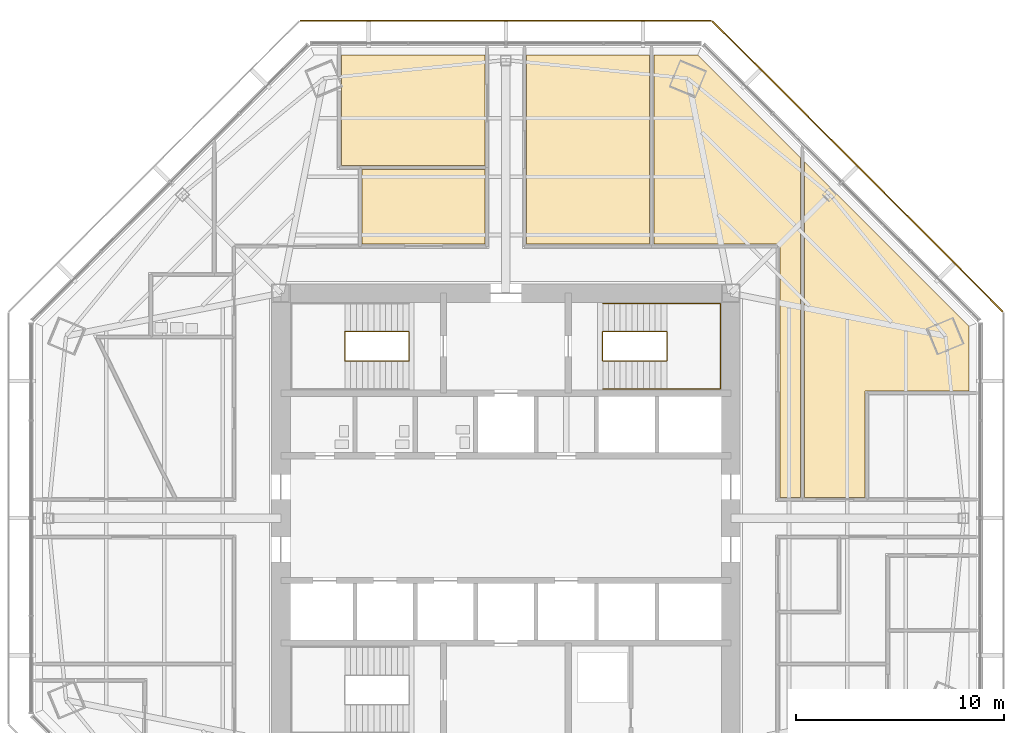
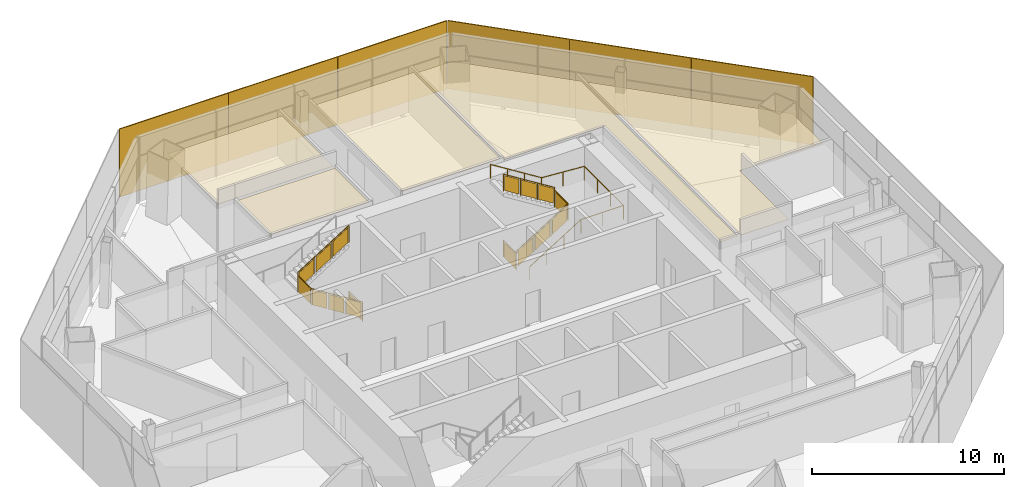
# One storey, part 14 of 15: 6 shading devices, 5 coverings, 3 railings.
"""IFC4 building model written with IfcOpenShell, lengths in metres."""

from ifc_helpers import new_model, si_unit, direction, frame, origin, origin_2d, place, context, subcontext, project, spatial, polyline, rectangle, circle, outline, extrude, source, transform, mapped, material, layer, layer_set, type_object, type_shapes, element, save


model = new_model("IFC4")

# Units and contexts
model_context = context("Model", 3, precision=1e-05, world=origin(), true_north=direction((0.0, 1.0)))
body_context = subcontext(model_context, "Body", "Model", "MODEL_VIEW")
ifc_project = project(units=[si_unit("LENGTHUNIT", "METRE"), si_unit("AREAUNIT", "SQUARE_METRE"), si_unit("VOLUMEUNIT", "CUBIC_METRE"), si_unit("PLANEANGLEUNIT", "RADIAN"), si_unit("MASSUNIT", "GRAM", prefix="KILO")], contexts=[model_context])

# Site, building, storey
site_placement = place(None, origin())
site = spatial("IfcSite", under=ifc_project, at=site_placement, CompositionType="ELEMENT")
building_placement = place(site_placement, origin())
building = spatial("IfcBuilding", under=site, at=building_placement, Name="Mashrafa Tower", CompositionType="ELEMENT")
storey_placement = place(building_placement, frame((0.0, 0.0, 184.800048828125)))
storey = spatial("IfcBuildingStorey", under=building, at=storey_placement, Name="L42", CompositionType="ELEMENT", Elevation=184.800048828125)

# Railings
ifc_material_1 = material(Name="Steel guard with glass infill", Category="steel")
railing_type_1 = type_object("IfcRailingType", Name="Stair guard 1100", PredefinedType="GUARDRAIL", material=ifc_material_1)
railing_1_placement = place(storey_placement, frame((-4.64990234375, 8.949951171875, 0.0)))
element("IfcRailing", 1, at=railing_1_placement, inside=storey, type_object=railing_type_1, Name="Stair S1 guard L42", PredefinedType="GUARDRAIL", context=body_context, shape_type="SweptSolid", body=[
    extrude(circle(Radius=0.02392578125, at=origin_2d()), frame((0.0, 0.0, 1.076171875), z_axis=(0.0, -1.0, 0.0), x_axis=(1.0, 0.0, 0.0)), (0.0, 0.0, 1.0), 1.39990234375),
    extrude(circle(Radius=0.02392578125, at=origin_2d()), frame((0.0, -1.39990234375, 1.076171875), z_axis=(0.0, 0.0, 1.0), x_axis=(1.0, 0.0, 0.0)), (0.0, 0.0, 1.0), 0.175048828125),
    extrude(circle(Radius=0.02392578125, at=origin_2d()), frame((0.0, -1.39990234375, 1.2509765625), z_axis=(-0.848028513186, 0.0, 0.529950602248), x_axis=(0.0, -1.0, 0.0)), (0.0, 0.0, 1.0), 3.632080078125),
    extrude(circle(Radius=0.02392578125, at=origin_2d()), frame((-3.080078125, -1.39990234375, 3.17578125), z_axis=(0.0, 1.0, 0.0), x_axis=(-1.0, 0.0, 0.0)), (0.0, 0.0, 1.0), 1.39990234375),
    extrude(circle(Radius=0.02392578125, at=origin_2d()), frame((-3.080078125, 0.0, 3.17578125), z_axis=(0.0, 0.0, 1.0), x_axis=(1.0, 0.0, 0.0)), (0.0, 0.0, 1.0), 0.175048828125),
    extrude(circle(Radius=0.02392578125, at=origin_2d()), frame((-3.080078125, 0.0, 3.35107421875), z_axis=(0.847998304005, 0.0, 0.529998940003), x_axis=(0.0, 1.0, 0.0)), (0.0, 0.0, 1.0), 3.632080078125),
    extrude(circle(Radius=0.02099609375, at=origin_2d()), origin(), (0.0, 0.0, 1.0), 1.052001953125),
    extrude(circle(Radius=0.02099609375, at=origin_2d()), frame((0.0, -1.39990234375, 0.0)), (0.0, 0.0, 1.0), 1.052001953125),
    extrude(circle(Radius=0.02099609375, at=origin_2d()), frame((0.0, -1.39990234375, 0.175048828125)), (0.0, 0.0, 1.0), 1.052001953125),
    extrude(circle(Radius=0.02099609375, at=origin_2d()), frame((-1.026611328125, -1.39990234375, 0.816650390625)), (0.0, 0.0, 1.0), 1.052001953125),
    extrude(circle(Radius=0.02099609375, at=origin_2d()), frame((-2.053466796875, -1.39990234375, 1.458251953125)), (0.0, 0.0, 1.0), 1.052001953125),
    extrude(circle(Radius=0.02099609375, at=origin_2d()), frame((-3.080078125, -1.39990234375, 2.099853515625)), (0.0, 0.0, 1.0), 1.052001953125),
    extrude(circle(Radius=0.02099609375, at=origin_2d()), frame((-3.080078125, 0.0, 2.099853515625)), (0.0, 0.0, 1.0), 1.052001953125),
    extrude(circle(Radius=0.02099609375, at=origin_2d()), frame((-3.080078125, 0.0, 2.27490234375)), (0.0, 0.0, 1.0), 1.052001953125),
    extrude(circle(Radius=0.02099609375, at=origin_2d()), frame((-2.053466796875, 0.0, 2.91650390625)), (0.0, 0.0, 1.0), 1.052001953125),
    extrude(circle(Radius=0.02099609375, at=origin_2d()), frame((-1.026611328125, 0.0, 3.558349609375)), (0.0, 0.0, 1.0), 1.052001953125),
    extrude(circle(Radius=0.02099609375, at=origin_2d()), frame((0.0, 0.0, 4.199951171875)), (0.0, 0.0, 1.0), 1.052001953125),
    extrude(outline(polyline([(0.071044921875, 0.050048828125), (1.328857421875, 0.050048828125), (1.328857421875, 1.001953125), (0.071044921875, 1.001953125), (0.071044921875, 0.050048828125)])), frame((-0.006103515625, 0.0, 0.0), z_axis=(-1.0, 0.0, 0.0), x_axis=(0.0, -1.0, 0.0)), (0.0, 0.0, 1.0), 0.011962890625),
    extrude(outline(polyline([(0.071044921875, 0.094482421875), (0.955810546875, 0.647216796875), (0.955810546875, 1.59912109375), (0.071044921875, 1.04638671875), (0.071044921875, 0.094482421875)])), frame((0.0, -1.393798828125, 0.175048828125), z_axis=(0.0, 1.0, 0.0), x_axis=(-1.0, 0.0, 0.0)), (0.0, 0.0, 1.0), 0.011962890625),
    extrude(outline(polyline([(1.09765625, 0.736083984375), (1.982421875, 1.288818359375), (1.982421875, 2.24072265625), (1.09765625, 1.68798828125), (1.09765625, 0.736083984375)])), frame((0.0, -1.393798828125, 0.175048828125), z_axis=(0.0, 1.0, 0.0), x_axis=(-1.0, 0.0, 0.0)), (0.0, 0.0, 1.0), 0.011962890625),
    extrude(outline(polyline([(2.124267578125, 1.377685546875), (3.009033203125, 1.930419921875), (3.009033203125, 2.88232421875), (2.124267578125, 2.32958984375), (2.124267578125, 1.377685546875)])), frame((0.0, -1.393798828125, 0.175048828125), z_axis=(0.0, 1.0, 0.0), x_axis=(-1.0, 0.0, 0.0)), (0.0, 0.0, 1.0), 0.011962890625),
    extrude(outline(polyline([(0.071044921875, 0.050048828125), (1.328857421875, 0.050048828125), (1.328857421875, 1.001953125), (0.071044921875, 1.001953125), (0.071044921875, 0.050048828125)])), frame((-3.073974609375, -1.39990234375, 2.099853515625), z_axis=(1.0, 0.0, 0.0), x_axis=(0.0, 1.0, 0.0)), (0.0, 0.0, 1.0), 0.011962890625),
    extrude(outline(polyline([(0.071044921875, 0.094482421875), (0.955810546875, 0.647216796875), (0.955810546875, 1.599365234375), (0.071044921875, 1.04638671875), (0.071044921875, 0.094482421875)])), frame((-3.080078125, -0.006103515625, 2.27490234375), z_axis=(0.0, -1.0, 0.0), x_axis=(1.0, 0.0, 0.0)), (0.0, 0.0, 1.0), 0.011962890625),
    extrude(outline(polyline([(1.09765625, 0.736083984375), (1.982421875, 1.2890625), (1.982421875, 2.240966796875), (1.09765625, 1.68798828125), (1.09765625, 0.736083984375)])), frame((-3.080078125, -0.006103515625, 2.27490234375), z_axis=(0.0, -1.0, 0.0), x_axis=(1.0, 0.0, 0.0)), (0.0, 0.0, 1.0), 0.011962890625),
    extrude(outline(polyline([(2.124267578125, 1.377685546875), (3.009033203125, 1.9306640625), (3.009033203125, 2.882568359375), (2.124267578125, 2.329833984375), (2.124267578125, 1.377685546875)])), frame((-3.080078125, -0.006103515625, 2.27490234375), z_axis=(0.0, -1.0, 0.0), x_axis=(1.0, 0.0, 0.0)), (0.0, 0.0, 1.0), 0.011962890625),
])
railing_2_placement = place(storey_placement, frame((4.64990234375, 8.949951171875, 0.0)))
element("IfcRailing", 2, at=railing_2_placement, inside=storey, type_object=railing_type_1, Name="Stair S2 guard L42", PredefinedType="GUARDRAIL", context=body_context, shape_type="SweptSolid", body=[
    extrude(circle(Radius=0.02392578125, at=origin_2d()), frame((0.0, 0.0, 1.076171875), z_axis=(0.0, -1.0, 0.0), x_axis=(1.0, 0.0, 0.0)), (0.0, 0.0, 1.0), 1.39990234375),
    extrude(circle(Radius=0.02392578125, at=origin_2d()), frame((0.0, -1.39990234375, 1.076171875), z_axis=(0.0, 0.0, 1.0), x_axis=(1.0, 0.0, 0.0)), (0.0, 0.0, 1.0), 0.175048828125),
    extrude(circle(Radius=0.02392578125, at=origin_2d()), frame((0.0, -1.39990234375, 1.2509765625), z_axis=(0.848028513186, 0.0, 0.529950602248), x_axis=(0.0, 1.0, 0.0)), (0.0, 0.0, 1.0), 3.632080078125),
    extrude(circle(Radius=0.02392578125, at=origin_2d()), frame((3.080078125, -1.39990234375, 3.17578125), z_axis=(0.0, 1.0, 0.0), x_axis=(-1.0, 0.0, 0.0)), (0.0, 0.0, 1.0), 1.39990234375),
    extrude(circle(Radius=0.02392578125, at=origin_2d()), frame((3.080078125, 0.0, 3.17578125), z_axis=(0.0, 0.0, 1.0), x_axis=(1.0, 0.0, 0.0)), (0.0, 0.0, 1.0), 0.175048828125),
    extrude(circle(Radius=0.02392578125, at=origin_2d()), frame((3.080078125, 0.0, 3.35107421875), z_axis=(-0.847998304005, 0.0, 0.529998940003), x_axis=(0.0, -1.0, 0.0)), (0.0, 0.0, 1.0), 3.632080078125),
    extrude(circle(Radius=0.02099609375, at=origin_2d()), origin(), (0.0, 0.0, 1.0), 1.052001953125),
    extrude(circle(Radius=0.02099609375, at=origin_2d()), frame((0.0, -1.39990234375, 0.0)), (0.0, 0.0, 1.0), 1.052001953125),
    extrude(circle(Radius=0.02099609375, at=origin_2d()), frame((0.0, -1.39990234375, 0.175048828125)), (0.0, 0.0, 1.0), 1.052001953125),
    extrude(circle(Radius=0.02099609375, at=origin_2d()), frame((1.026611328125, -1.39990234375, 0.816650390625)), (0.0, 0.0, 1.0), 1.052001953125),
    extrude(circle(Radius=0.02099609375, at=origin_2d()), frame((2.053466796875, -1.39990234375, 1.458251953125)), (0.0, 0.0, 1.0), 1.052001953125),
    extrude(circle(Radius=0.02099609375, at=origin_2d()), frame((3.080078125, -1.39990234375, 2.099853515625)), (0.0, 0.0, 1.0), 1.052001953125),
    extrude(circle(Radius=0.02099609375, at=origin_2d()), frame((3.080078125, 0.0, 2.099853515625)), (0.0, 0.0, 1.0), 1.052001953125),
    extrude(circle(Radius=0.02099609375, at=origin_2d()), frame((3.080078125, 0.0, 2.27490234375)), (0.0, 0.0, 1.0), 1.052001953125),
    extrude(circle(Radius=0.02099609375, at=origin_2d()), frame((2.053466796875, 0.0, 2.91650390625)), (0.0, 0.0, 1.0), 1.052001953125),
    extrude(circle(Radius=0.02099609375, at=origin_2d()), frame((1.026611328125, 0.0, 3.558349609375)), (0.0, 0.0, 1.0), 1.052001953125),
    extrude(circle(Radius=0.02099609375, at=origin_2d()), frame((0.0, 0.0, 4.199951171875)), (0.0, 0.0, 1.0), 1.052001953125),
    extrude(outline(polyline([(0.071044921875, 0.050048828125), (1.328857421875, 0.050048828125), (1.328857421875, 1.001953125), (0.071044921875, 1.001953125), (0.071044921875, 0.050048828125)])), frame((-0.006103515625, 0.0, 0.0), z_axis=(-1.0, 0.0, 0.0), x_axis=(0.0, -1.0, 0.0)), (0.0, 0.0, 1.0), 0.011962890625),
    extrude(outline(polyline([(0.071044921875, 0.094482421875), (0.955810546875, 0.647216796875), (0.955810546875, 1.59912109375), (0.071044921875, 1.04638671875), (0.071044921875, 0.094482421875)])), frame((0.0, -1.406005859375, 0.175048828125), z_axis=(0.0, -1.0, 0.0), x_axis=(1.0, 0.0, 0.0)), (0.0, 0.0, 1.0), 0.011962890625),
    extrude(outline(polyline([(1.09765625, 0.736083984375), (1.982421875, 1.288818359375), (1.982421875, 2.24072265625), (1.09765625, 1.68798828125), (1.09765625, 0.736083984375)])), frame((0.0, -1.406005859375, 0.175048828125), z_axis=(0.0, -1.0, 0.0), x_axis=(1.0, 0.0, 0.0)), (0.0, 0.0, 1.0), 0.011962890625),
    extrude(outline(polyline([(2.124267578125, 1.377685546875), (3.009033203125, 1.930419921875), (3.009033203125, 2.88232421875), (2.124267578125, 2.32958984375), (2.124267578125, 1.377685546875)])), frame((0.0, -1.406005859375, 0.175048828125), z_axis=(0.0, -1.0, 0.0), x_axis=(1.0, 0.0, 0.0)), (0.0, 0.0, 1.0), 0.011962890625),
    extrude(outline(polyline([(0.071044921875, 0.050048828125), (1.328857421875, 0.050048828125), (1.328857421875, 1.001953125), (0.071044921875, 1.001953125), (0.071044921875, 0.050048828125)])), frame((3.086181640625, -1.39990234375, 2.099853515625), z_axis=(1.0, 0.0, 0.0), x_axis=(0.0, 1.0, 0.0)), (0.0, 0.0, 1.0), 0.011962890625),
    extrude(outline(polyline([(0.071044921875, 0.094482421875), (0.955810546875, 0.647216796875), (0.955810546875, 1.599365234375), (0.071044921875, 1.04638671875), (0.071044921875, 0.094482421875)])), frame((3.080078125, 0.006103515625, 2.27490234375), z_axis=(0.0, 1.0, 0.0), x_axis=(-1.0, 0.0, 0.0)), (0.0, 0.0, 1.0), 0.011962890625),
    extrude(outline(polyline([(1.09765625, 0.736083984375), (1.982421875, 1.2890625), (1.982421875, 2.240966796875), (1.09765625, 1.68798828125), (1.09765625, 0.736083984375)])), frame((3.080078125, 0.006103515625, 2.27490234375), z_axis=(0.0, 1.0, 0.0), x_axis=(-1.0, 0.0, 0.0)), (0.0, 0.0, 1.0), 0.011962890625),
    extrude(outline(polyline([(2.124267578125, 1.377685546875), (3.009033203125, 1.9306640625), (3.009033203125, 2.882568359375), (2.124267578125, 2.329833984375), (2.124267578125, 1.377685546875)])), frame((3.080078125, 0.006103515625, 2.27490234375), z_axis=(0.0, 1.0, 0.0), x_axis=(-1.0, 0.0, 0.0)), (0.0, 0.0, 1.0), 0.011962890625),
])
ifc_material_2 = material(Name="Steel", Category="steel")
railing_type_2 = type_object("IfcRailingType", Name="Stair handrail 900", PredefinedType="HANDRAIL", material=ifc_material_2)
railing_3_placement = place(storey_placement, frame((4.64990234375, 6.199951171875, 0.175048828125)))
element("IfcRailing", 3, at=railing_3_placement, inside=storey, type_object=railing_type_2, Name="Stair S2 handrail L42", PredefinedType="HANDRAIL", context=body_context, shape_type="SweptSolid", body=[
    extrude(circle(Radius=0.02392578125, at=origin_2d()), frame((0.0, 0.0, 0.8759765625), z_axis=(0.848028513186, 0.0, 0.529950602248), x_axis=(0.0, 1.0, 0.0)), (0.0, 0.0, 1.0), 3.632080078125),
    extrude(circle(Radius=0.02392578125, at=origin_2d()), frame((3.080078125, 0.0, 2.80078125), z_axis=(1.0, 0.0, 0.0), x_axis=(0.0, 1.0, 0.0)), (0.0, 0.0, 1.0), 2.570068359375),
    extrude(circle(Radius=0.02392578125, at=origin_2d()), frame((5.650146484375, 0.0, 2.80078125), z_axis=(0.0, 1.0, 0.0), x_axis=(-1.0, 0.0, 0.0)), (0.0, 0.0, 1.0), 4.10009765625),
    extrude(circle(Radius=0.02392578125, at=origin_2d()), frame((5.650146484375, 4.10009765625, 2.80078125), z_axis=(-0.997688514158, 0.0, 0.067953136188), x_axis=(0.0, -1.0, 0.0)), (0.0, 0.0, 1.0), 2.575927734375),
    extrude(circle(Radius=0.02392578125, at=origin_2d()), frame((3.080078125, 4.10009765625, 2.9755859375), z_axis=(-0.847998304005, 0.0, 0.529998940003), x_axis=(0.0, -1.0, 0.0)), (0.0, 0.0, 1.0), 3.632080078125),
    extrude(circle(Radius=0.02099609375, at=origin_2d()), origin(), (0.0, 0.0, 1.0), 0.851806640625),
    extrude(circle(Radius=0.02099609375, at=origin_2d()), frame((1.026611328125, 0.0, 0.6416015625)), (0.0, 0.0, 1.0), 0.851806640625),
    extrude(circle(Radius=0.02099609375, at=origin_2d()), frame((2.053466796875, 0.0, 1.283203125)), (0.0, 0.0, 1.0), 0.851806640625),
    extrude(circle(Radius=0.02099609375, at=origin_2d()), frame((3.080078125, 0.0, 1.9248046875)), (0.0, 0.0, 1.0), 0.851806640625),
    extrude(circle(Radius=0.02099609375, at=origin_2d()), frame((4.365234375, 0.0, 1.9248046875)), (0.0, 0.0, 1.0), 0.851806640625),
    extrude(circle(Radius=0.02099609375, at=origin_2d()), frame((5.650146484375, 0.0, 1.9248046875)), (0.0, 0.0, 1.0), 0.851806640625),
    extrude(circle(Radius=0.02099609375, at=origin_2d()), frame((5.650146484375, 1.36669921875, 1.9248046875)), (0.0, 0.0, 1.0), 0.851806640625),
    extrude(circle(Radius=0.02099609375, at=origin_2d()), frame((5.650146484375, 2.7333984375, 1.9248046875)), (0.0, 0.0, 1.0), 0.851806640625),
    extrude(circle(Radius=0.02099609375, at=origin_2d()), frame((5.650146484375, 4.10009765625, 1.9248046875)), (0.0, 0.0, 1.0), 0.851806640625),
    extrude(circle(Radius=0.02099609375, at=origin_2d()), frame((4.365234375, 4.10009765625, 2.01220703125)), (0.0, 0.0, 1.0), 0.851806640625),
    extrude(circle(Radius=0.02099609375, at=origin_2d()), frame((3.080078125, 4.10009765625, 2.099853515625)), (0.0, 0.0, 1.0), 0.851806640625),
    extrude(circle(Radius=0.02099609375, at=origin_2d()), frame((2.053466796875, 4.10009765625, 2.741455078125)), (0.0, 0.0, 1.0), 0.851806640625),
    extrude(circle(Radius=0.02099609375, at=origin_2d()), frame((1.026611328125, 4.10009765625, 3.38330078125)), (0.0, 0.0, 1.0), 0.851806640625),
    extrude(circle(Radius=0.02099609375, at=origin_2d()), frame((0.0, 4.10009765625, 4.02490234375)), (0.0, 0.0, 1.0), 0.851806640625),
])

# Coverings
ifc_material_3 = material(Name="Mineral fibre tile on suspension grid")
ifc_layer_1 = layer(ifc_material_3, 0.014892578125)
ifc_layer_set_1 = layer_set([ifc_layer_1], Name="Suspended ceiling mineral tile 15")
covering_type = type_object("IfcCoveringType", Name="Suspended ceiling mineral tile 15", PredefinedType="CEILING", material=ifc_layer_set_1)
covering_1_placement = place(storey_placement, frame((0.0, 0.0, 2.89990234375)))
element("IfcCovering", 4, at=covering_1_placement, inside=storey, type_object=covering_type, Name="Ceiling Board Room 42", PredefinedType="CEILING", context=body_context, shape_type="SweptSolid", body=[
    extrude(outline(polyline([(-7.89990234375, 22.237060546875), (-1.0, 22.237060546875), (-1.0, 16.93701171875), (-7.89990234375, 16.93701171875), (-7.89990234375, 22.237060546875)])), origin(), (0.0, 0.0, 1.0), 0.01513671875),
])
covering_2_placement = place(storey_placement, frame((0.0, 0.0, 2.800048828125)))
element("IfcCovering", 5, at=covering_2_placement, inside=storey, type_object=covering_type, Name="Ceiling Board Secretariat Office 42-NE3", PredefinedType="CEILING", context=body_context, shape_type="SweptSolid", body=[
    extrude(outline(polyline([(14.35009765625, 1.0), (14.35009765625, 17.097900390625), (22.237060546875, 9.2109375), (22.237060546875, 6.10009765625), (17.237060546875, 6.10009765625), (17.237060546875, 1.0), (14.35009765625, 1.0)])), origin(), (0.0, 0.0, 1.0), 0.014892578125),
])
covering_3_placement = place(storey_placement, frame((0.0, 0.0, 2.800048828125)))
element("IfcCovering", 6, at=covering_3_placement, inside=storey, type_object=covering_type, Name="Ceiling Corporate Affairs Office 42-NE2", PredefinedType="CEILING", context=body_context, shape_type="SweptSolid", body=[
    extrude(outline(polyline([(7.10009765625, 13.14990234375), (7.10009765625, 22.237060546875), (9.2109375, 22.237060546875), (14.14990234375, 17.2978515625), (14.14990234375, 1.0), (13.14990234375, 1.0), (13.14990234375, 13.14990234375), (7.10009765625, 13.14990234375)])), origin(), (0.0, 0.0, 1.0), 0.014892578125),
])
covering_4_placement = place(storey_placement, frame((0.0, 0.0, 2.89990234375)))
element("IfcCovering", 7, at=covering_4_placement, inside=storey, type_object=covering_type, Name="Ceiling General Counsel's Office 42-NE1", PredefinedType="CEILING", context=body_context, shape_type="SweptSolid", body=[
    extrude(outline(polyline([(1.0, 22.237060546875), (6.89990234375, 22.237060546875), (6.89990234375, 13.14990234375), (1.0, 13.14990234375), (1.0, 22.237060546875)])), origin(), (0.0, 0.0, 1.0), 0.01513671875),
])
covering_5_placement = place(storey_placement, frame((0.0, 0.0, 2.89990234375)))
element("IfcCovering", 8, at=covering_5_placement, inside=storey, type_object=covering_type, Name="Ceiling General Counsel's Office 42-NW1", PredefinedType="CEILING", context=body_context, shape_type="SweptSolid", body=[
    extrude(outline(polyline([(-6.89990234375, 13.14990234375), (-6.89990234375, 16.737060546875), (-1.0, 16.737060546875), (-1.0, 13.14990234375), (-6.89990234375, 13.14990234375)])), origin(), (0.0, 0.0, 1.0), 0.01513671875),
])

# Shading devices
ifc_material_4 = material(Name="Perforated aluminium plate, eight-point star pattern", Category="aluminium")
ifc_layer_2 = layer(ifc_material_4, 0.06005859375)
ifc_layer_set_2 = layer_set([ifc_layer_2], Name="Mashrabiya screen panel office zone 2, 40 percent open")
shading_device_type = type_object("IfcShadingDeviceType", Name="Mashrabiya screen panel office zone 2, 40 percent open", PredefinedType="SHUTTER", material=ifc_layer_set_2)
shared_shape = source(origin(), body_context, "Body", "SweptSolid", [
    extrude(rectangle(XDim=6.561279296875, YDim=0.06005859375, at=origin_2d()), origin(), (0.0, 0.0, 1.0), 4.330078125),
])
type_shapes(shading_device_type, [shared_shape])
for number, where, z_axis, x_axis, name in (
    (9, (21.544189453125, 12.237060546875, -0.150146484375), (0.0, 0.0, 1.0), (-0.707106781187, 0.707106781187, 0.0), "Mashrabiya screen L42 north-east 1"),
    (10, (16.890625, 16.890625, -0.150146484375), (0.0, 0.0, 1.0), (-0.707106781187, 0.707106781187, 0.0), "Mashrabiya screen L42 north-east 2"),
    (11, (12.237060546875, 21.544189453125, -0.150146484375), (0.0, 0.0, 1.0), (-0.707106781187, 0.707106781187, 0.0), "Mashrabiya screen L42 north-east 3"),
    (12, (6.581298828125, 23.886962890625, -0.150146484375), (0.0, 0.0, 1.0), (-1.0, 0.0, 0.0), "Mashrabiya screen L42 north 1"),
    (13, (0.0, 23.886962890625, -0.150146484375), (0.0, 0.0, 1.0), (-1.0, 0.0, 0.0), "Mashrabiya screen L42 north 2"),
    (14, (-6.581298828125, 23.886962890625, -0.150146484375), (0.0, 0.0, 1.0), (-1.0, 0.0, 0.0), "Mashrabiya screen L42 north 3"),
):
    element("IfcShadingDevice", number, at=place(storey_placement, frame(where, z_axis=z_axis, x_axis=x_axis)), inside=storey, type_object=shading_device_type, Name=name, PredefinedType="SHUTTER", context=body_context, shape_type="MappedRepresentation", body=[
        mapped(shared_shape, transform((0.0, 0.0, 0.0))),
    ])

save(model, "model.ifc")
